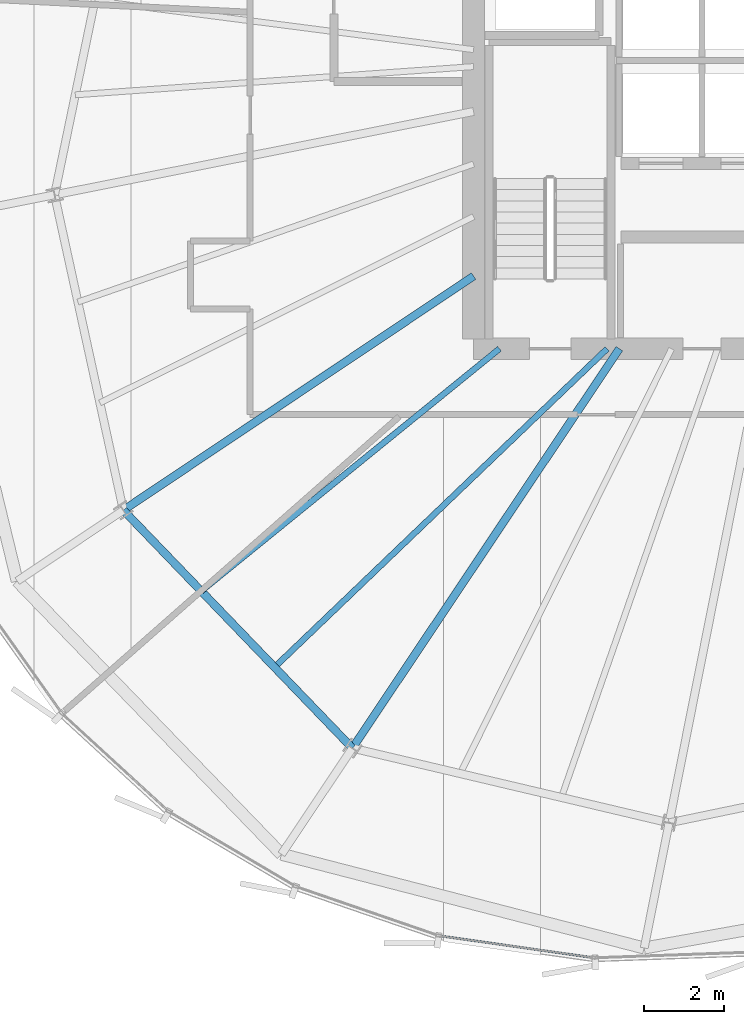
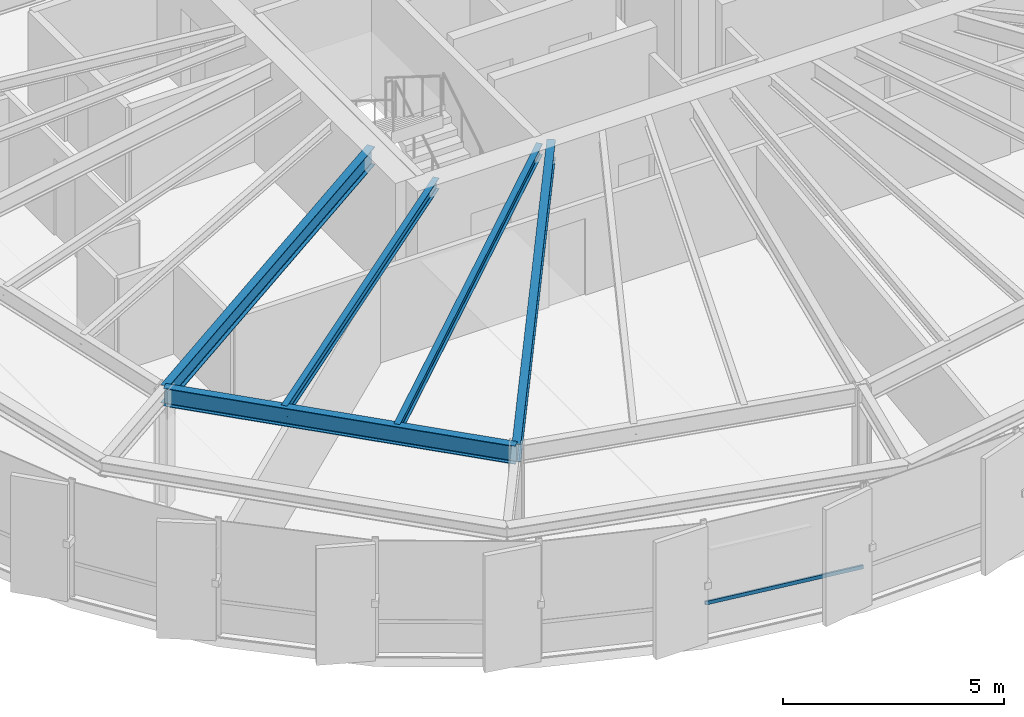
# One storey, part 5 of 37: 5 beams, 1 member, 1 element without a shape of its own.
"""IFC4 building model written with IfcOpenShell, lengths in metres."""

from ifc_helpers import new_model, si_unit, direction, frame, origin, origin_2d, place, context, subcontext, project, spatial, hollow_rectangle, i_section, extrude, source, transform, mapped, material, layer, layer_set, material_profile, profile_set, type_object, element, aggregate, save


model = new_model("IFC4")

# Units and contexts
model_context = context("Model", 3, precision=1e-05, world=origin(), true_north=direction((0.0, 1.0)))
body_context = subcontext(model_context, "Body", "Model", "MODEL_VIEW")
ifc_project = project(units=[si_unit("LENGTHUNIT", "METRE"), si_unit("AREAUNIT", "SQUARE_METRE"), si_unit("VOLUMEUNIT", "CUBIC_METRE"), si_unit("PLANEANGLEUNIT", "RADIAN"), si_unit("MASSUNIT", "GRAM", prefix="KILO"), si_unit("THERMODYNAMICTEMPERATUREUNIT", "KELVIN")], contexts=[model_context])

# Site, building, storey
site_placement = place(None, origin())
site = spatial("IfcSite", under=ifc_project, at=site_placement, CompositionType="ELEMENT")
building_placement = place(site_placement, origin())
building = spatial("IfcBuilding", under=site, at=building_placement, Name="Kethvar Cultural Tower", CompositionType="ELEMENT")
storey_placement = place(building_placement, frame((0.0, 0.0, 200.89990234375)))
storey = spatial("IfcBuildingStorey", under=building, at=storey_placement, Name="L52", CompositionType="ELEMENT", Elevation=200.89990234375)

# Beams
ifc_material_1 = material(Name="Steel S355J2", Category="steel")
ifc_material_profile_1 = material_profile(ifc_material_1, i_section(OverallWidth=0.199951171875, OverallDepth=0.5, WebThickness=0.01025390625, FlangeThickness=0.01611328125, FilletRadius=0.02099609375, at=origin_2d()), Name="Steel S355J2 — IPE500")
ifc_profile_set_1 = profile_set([ifc_material_profile_1], Name="Steel S355J2 — IPE500")
beam_type_1 = type_object("IfcBeamType", Name="BM-IPE500", PredefinedType="BEAM", material=ifc_profile_set_1)
shared_shape_1 = source(origin(), body_context, "Body", "SweptSolid", [
    extrude(i_section(OverallWidth=0.199951171875, OverallDepth=0.5, WebThickness=0.01025390625, FlangeThickness=0.01611328125, FilletRadius=0.02099609375, at=origin_2d()), origin(), (0.0, 0.0, 1.0), 10.562744140625),
])
beam_1_placement = place(storey_placement, frame((38.0, 21.920166015625, 3.008056640625), z_axis=(-0.831463100754, -0.555579978117, 0.0), x_axis=(0.555579978117, -0.831463100754, 0.0)))
element("IfcBeam", 1, at=beam_1_placement, inside=storey, type_object=beam_type_1, Name="L52 Primary Radial Beam RB-10", PredefinedType="BEAM", context=body_context, shape_type="MappedRepresentation", body=[
    mapped(shared_shape_1, transform((0.0, 0.0, 0.0), scale=1.0)),
])
shared_shape_2 = source(origin(), body_context, "Body", "SweptSolid", [
    extrude(i_section(OverallWidth=0.199951171875, OverallDepth=0.5, WebThickness=0.01025390625, FlangeThickness=0.01611328125, FilletRadius=0.02099609375, at=origin_2d()), origin(), (0.0, 0.0, 1.0), 12.0458984375),
])
beam_2_placement = place(storey_placement, frame((41.655029296875, 20.10009765625, 3.008056640625), z_axis=(-0.555569831996, -0.831469880258, 0.0), x_axis=(0.831469880258, -0.555569831996, 0.0)))
element("IfcBeam", 2, at=beam_2_placement, inside=storey, type_object=beam_type_1, Name="L52 Primary Radial Beam RB-11", PredefinedType="BEAM", context=body_context, shape_type="MappedRepresentation", body=[
    mapped(shared_shape_2, transform((0.0, 0.0, 0.0), scale=1.0)),
])
shared_shape_3 = source(origin(), body_context, "Body", "SweptSolid", [
    extrude(i_section(OverallWidth=0.199951171875, OverallDepth=0.5, WebThickness=0.01025390625, FlangeThickness=0.01611328125, FilletRadius=0.02099609375, at=origin_2d()), origin(), (0.0, 0.0, 1.0), 8.28369140625),
])
beam_3_placement = place(storey_placement, frame((29.217529296875, 16.0517578125, 3.008056640625), z_axis=(0.693554459208, -0.72040420051, 0.0), x_axis=(0.72040420051, 0.693554459208, 0.0)))
element("IfcBeam", 3, at=beam_3_placement, inside=storey, type_object=beam_type_1, Name="L52 Column Ring Tie Beam CR-10", PredefinedType="BEAM", context=body_context, shape_type="MappedRepresentation", body=[
    mapped(shared_shape_3, transform((0.0, 0.0, 0.0), scale=1.0)),
])
ifc_material_profile_2 = material_profile(ifc_material_1, i_section(OverallWidth=0.14990234375, OverallDepth=0.300048828125, WebThickness=0.007080078125, FlangeThickness=0.0107421875, FilletRadius=0.014892578125, at=origin_2d()), Name="Steel S355J2 — IPE300")
ifc_profile_set_2 = profile_set([ifc_material_profile_2], Name="Steel S355J2 — IPE300")
beam_type_2 = type_object("IfcBeamType", Name="BM-J300", PredefinedType="JOIST", material=ifc_profile_set_2)
shared_shape_4 = source(origin(), body_context, "Body", "SweptSolid", [
    extrude(i_section(OverallWidth=0.14990234375, OverallDepth=0.300048828125, WebThickness=0.007080078125, FlangeThickness=0.0107421875, FilletRadius=0.014892578125, at=origin_2d()), origin(), (0.0, 0.0, 1.0), 9.63671875),
])
beam_4_placement = place(storey_placement, frame((38.64990234375, 20.10009765625, 3.108154296875), z_axis=(-0.776090751649, -0.630621237515, 0.0), x_axis=(0.630621237515, -0.776090751649, 0.0)))
element("IfcBeam", 4, at=beam_4_placement, inside=storey, type_object=beam_type_2, Name="L52 Composite Floor Joist J-10A", PredefinedType="JOIST", context=body_context, shape_type="MappedRepresentation", body=[
    mapped(shared_shape_4, transform((0.0, 0.0, 0.0), scale=1.0)),
])
shared_shape_5 = source(origin(), body_context, "Body", "SweptSolid", [
    extrude(i_section(OverallWidth=0.14990234375, OverallDepth=0.300048828125, WebThickness=0.007080078125, FlangeThickness=0.0107421875, FilletRadius=0.014892578125, at=origin_2d()), origin(), (0.0, 0.0, 1.0), 11.548095703125),
])
beam_5_placement = place(storey_placement, frame((41.35009765625, 20.10009765625, 3.108154296875), z_axis=(-0.722268013472, -0.691613271067, 0.0), x_axis=(0.691613271067, -0.722268013472, 0.0)))
element("IfcBeam", 5, at=beam_5_placement, inside=storey, type_object=beam_type_2, Name="L52 Composite Floor Joist J-10B", PredefinedType="JOIST", context=body_context, shape_type="MappedRepresentation", body=[
    mapped(shared_shape_5, transform((0.0, 0.0, 0.0), scale=1.0)),
])

# Curtain wall, member
ifc_material_2 = material(Name="Aluminium 6063-T6", Category="aluminium")
ifc_layer = layer(ifc_material_2, 0.179931640625, Name="Aluminium 6063-T6", Category="aluminium")
ifc_layer_set = layer_set([ifc_layer], Name="Aluminium 6063-T6 (180 mm)")
curtain_wall_type = type_object("IfcCurtainWallType", Name="CW-SYS-04-Z34", PredefinedType="NOTDEFINED", material=ifc_layer_set)
curtain_wall_placement = place(storey_placement, origin())
curtain_wall = element("IfcCurtainWall", 6, at=curtain_wall_placement, inside=storey, type_object=curtain_wall_type, Name="L52 Curtain Wall Run 04", PredefinedType="NOTDEFINED")
ifc_material_profile_3 = material_profile(ifc_material_2, hollow_rectangle(XDim=0.050048828125, YDim=0.10009765625, WallThickness=0.00390625, at=origin_2d()), Name="Aluminium 6063-T6 — RHS100x50x4")
ifc_profile_set_3 = profile_set([ifc_material_profile_3], Name="Aluminium 6063-T6 — RHS100x50x4")
member_type = type_object("IfcMemberType", Name="CW-SYS-04-Z34-TRN", PredefinedType="USERDEFINED", material=ifc_profile_set_3)
shared_shape_6 = source(origin(), body_context, "Body", "SweptSolid", [
    extrude(hollow_rectangle(XDim=0.050048828125, YDim=0.10009765625, WallThickness=0.00390625, at=origin_2d()), origin(), (0.0, 0.0, 1.0), 3.853271484375),
])
member_placement = place(storey_placement, frame((37.169677734375, 5.375732421875, 0.9501953125), z_axis=(0.99003169113, -0.140844774695, 0.0), x_axis=(0.140844774695, 0.99003169113, 0.0)))
member = element("IfcMember", 7, at=member_placement, type_object=member_type, Name="CW-L52-R04 Transom 6", ObjectType="TRANSOM", PredefinedType="USERDEFINED", context=body_context, shape_type="MappedRepresentation", body=[
    mapped(shared_shape_6, transform((0.0, 0.0, 0.0), scale=1.0)),
])
aggregate(curtain_wall, [member])

save(model, "model.ifc")
